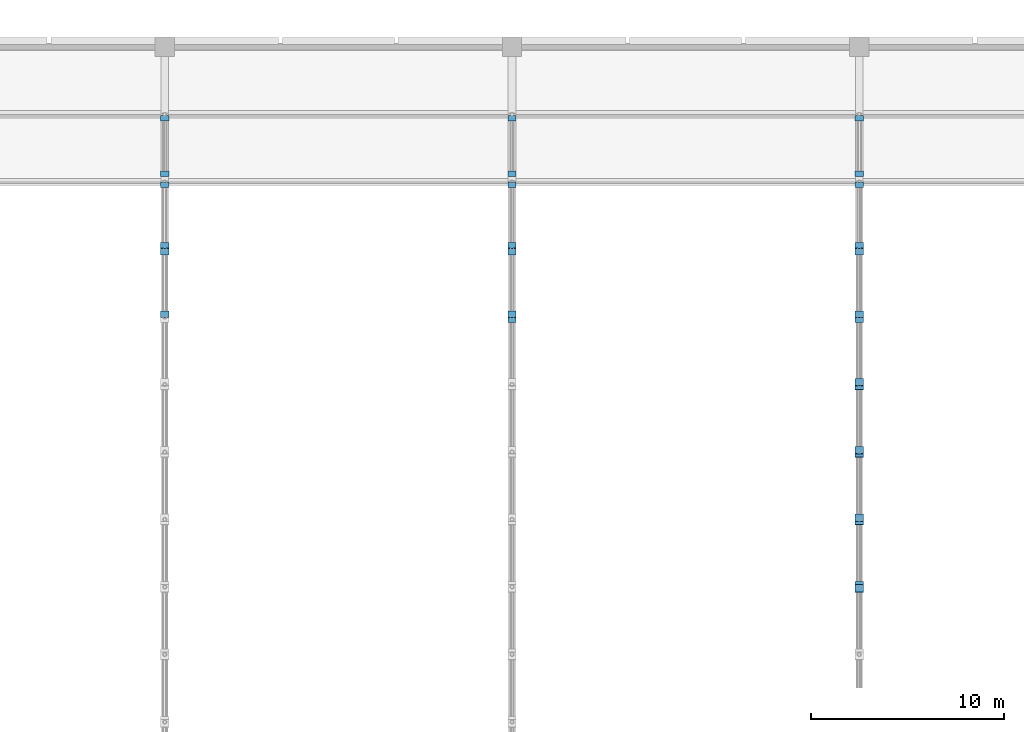
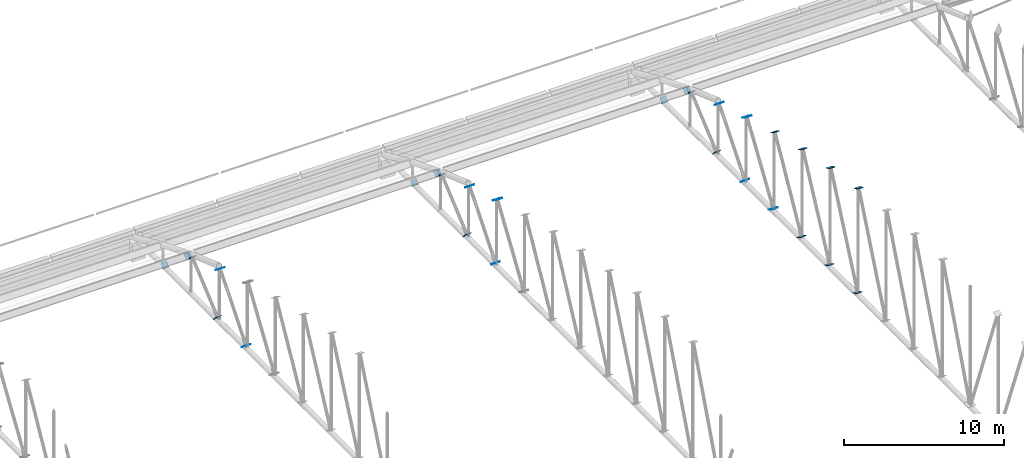
# One storey, part 176 of 196: 28 discrete accessories.
"""IFC4 building model written with IfcOpenShell, lengths in metres."""

from ifc_helpers import new_model, si_unit, direction, frame, origin, origin_2d, place, context, subcontext, project, spatial, rectangle, extrude, material, layer, layer_set, type_object, element, save


model = new_model("IFC4")

# Units and contexts
model_context = context("Model", 3, precision=1e-05, world=origin(), true_north=direction((0.0, 1.0)))
body_context = subcontext(model_context, "Body", "Model", "MODEL_VIEW")
ifc_project = project(units=[si_unit("LENGTHUNIT", "METRE"), si_unit("AREAUNIT", "SQUARE_METRE"), si_unit("VOLUMEUNIT", "CUBIC_METRE"), si_unit("PLANEANGLEUNIT", "RADIAN"), si_unit("MASSUNIT", "GRAM", prefix="KILO")], contexts=[model_context])

# Site, building, storey
site_placement = place(None, origin())
site = spatial("IfcSite", under=ifc_project, at=site_placement, CompositionType="ELEMENT")
building_placement = place(site_placement, origin())
building = spatial("IfcBuilding", under=site, at=building_placement, Name="Okhra Congress Centre", CompositionType="ELEMENT")
storey_placement = place(building_placement, frame((0.0, 0.0, 12.0)))
storey = spatial("IfcBuildingStorey", under=building, at=storey_placement, Name="L02", CompositionType="ELEMENT", Elevation=12.0)

# Discrete accessories
ifc_material = material(Name="Steel S355J2", Category="steel")
ifc_layer = layer(ifc_material, 0.02001953125)
ifc_layer_set = layer_set([ifc_layer], Name="Brace end connection plate 20 mm S355")
discrete_accessory_type = type_object("IfcDiscreteAccessoryType", Name="Brace end connection plate 20 mm S355", PredefinedType="BRACKET", material=ifc_layer_set)
for number, where, z_axis, x_axis, name in (
    (1, (82.0, 205.373779296875, 5.476318359375), (0.0, 0.630592625094, 0.776114000116), (-1.0, 0.0, 0.0), "Brace end connection plate"),
    (2, (82.0, 202.147216796875, 1.577880859375), (0.0, -0.643761629109, -0.765226087432), (1.0, 0.0, 0.0), "Brace end connection plate"),
    (3, (82.0, 208.8388671875, 4.237060546875), (0.0, 0.760121344352, 0.649781149204), (-1.0, 0.0, 0.0), "Brace end connection plate"),
    (4, (82.0, 205.709228515625, 1.577880859375), (0.0, -0.760121344352, -0.649781149204), (1.0, 0.0, 0.0), "Brace end connection plate"),
    (5, (82.0, 209.42578125, 4.01220703125), (0.0, -0.760121344352, 0.649781149204), (1.0, 0.0, 0.0), "Brace end connection plate"),
    (6, (82.0, 212.290771484375, 1.577880859375), (0.0, 0.760121344352, -0.649781149204), (-1.0, 0.0, 0.0), "Brace end connection plate"),
    (7, (100.0, 201.89404296875, 6.576416015625), (0.0, 0.551866900848, 0.833932205727), (-1.0, 0.0, 0.0), "Brace end connection plate"),
    (8, (100.0, 205.373779296875, 5.476318359375), (0.0, 0.630592625094, 0.776114000116), (-1.0, 0.0, 0.0), "Brace end connection plate"),
    (9, (100.0, 202.147216796875, 1.577880859375), (0.0, -0.643761629109, -0.765226087432), (1.0, 0.0, 0.0), "Brace end connection plate"),
    (10, (100.0, 208.8388671875, 4.237060546875), (0.0, 0.760121344352, 0.649781149204), (-1.0, 0.0, 0.0), "Brace end connection plate"),
    (11, (100.0, 205.709228515625, 1.577880859375), (0.0, -0.760121344352, -0.649781149204), (1.0, 0.0, 0.0), "Brace end connection plate"),
    (12, (100.0, 209.42578125, 4.01220703125), (0.0, -0.760121344352, 0.649781149204), (1.0, 0.0, 0.0), "Brace end connection plate"),
    (13, (100.0, 212.290771484375, 1.577880859375), (0.0, 0.760121344352, -0.649781149204), (-1.0, 0.0, 0.0), "Brace end connection plate"),
    (14, (118.0, 187.926513671875, 9.6240234375), (0.0, 0.388057000058, 0.921635375138), (-1.0, 0.0, 0.0), "Brace end connection plate"),
    (15, (118.0, 191.42236328125, 9.0595703125), (0.0, 0.402738614266, 0.915315032423), (-1.0, 0.0, 0.0), "Brace end connection plate"),
    (16, (118.0, 188.079345703125, 1.577880859375), (0.0, -0.402738614266, -0.915315032423), (1.0, 0.0, 0.0), "Brace end connection plate"),
):
    element("IfcDiscreteAccessory", number, at=place(storey_placement, frame(where, z_axis=z_axis, x_axis=x_axis)), inside=storey, type_object=discrete_accessory_type, Name=name, PredefinedType="BRACKET", context=body_context, shape_type="SweptSolid", body=[
        extrude(rectangle(XDim=0.43798828125, YDim=0.43798828125, at=origin_2d()), origin(), (0.0, 0.0, 1.0), 0.02001953125),
    ])
discrete_accessory_placement = place(storey_placement, frame((118.0, 194.916259765625, 8.365234375), z_axis=(0.0, 0.44229248412, 0.896870870578), x_axis=(-1.0, 0.0, 0.0)))
element("IfcDiscreteAccessory", 17, at=discrete_accessory_placement, inside=storey, type_object=discrete_accessory_type, Name="Brace end connection plate", PredefinedType="BRACKET", context=body_context, shape_type="SweptSolid", body=[
    extrude(rectangle(XDim=0.43798828125, YDim=0.43798828125, at=origin_2d()), origin(), (0.0, 0.0, 1.0), 0.019775390625),
])
for number, where, z_axis, x_axis, name in (
    (18, (118.0, 191.587158203125, 1.577880859375), (0.0, -0.437465718849, -0.899235088746), (1.0, 0.0, 0.0), "Brace end connection plate"),
    (19, (118.0, 198.4072265625, 7.538330078125), (0.0, 0.485642931179, 0.874157276122), (-1.0, 0.0, 0.0), "Brace end connection plate"),
    (20, (118.0, 195.0986328125, 1.577880859375), (0.0, -0.485642931179, -0.874157276122), (1.0, 0.0, 0.0), "Brace end connection plate"),
    (21, (118.0, 201.89404296875, 6.576416015625), (0.0, 0.551866900848, 0.833932205727), (-1.0, 0.0, 0.0), "Brace end connection plate"),
    (22, (118.0, 198.61669921875, 1.577880859375), (0.0, -0.546267780547, -0.837610596839), (1.0, 0.0, 0.0), "Brace end connection plate"),
    (23, (118.0, 205.373779296875, 5.476318359375), (0.0, 0.630592625094, 0.776114000116), (-1.0, 0.0, 0.0), "Brace end connection plate"),
    (24, (118.0, 202.147216796875, 1.577880859375), (0.0, -0.643761629109, -0.765226087432), (1.0, 0.0, 0.0), "Brace end connection plate"),
    (25, (118.0, 208.8388671875, 4.237060546875), (0.0, 0.760121344352, 0.649781149204), (-1.0, 0.0, 0.0), "Brace end connection plate"),
    (26, (118.0, 205.709228515625, 1.577880859375), (0.0, -0.760121344352, -0.649781149204), (1.0, 0.0, 0.0), "Brace end connection plate"),
    (27, (118.0, 209.42578125, 4.01220703125), (0.0, -0.760121344352, 0.649781149204), (1.0, 0.0, 0.0), "Brace end connection plate"),
    (28, (118.0, 212.290771484375, 1.577880859375), (0.0, 0.760121344352, -0.649781149204), (-1.0, 0.0, 0.0), "Brace end connection plate"),
):
    element("IfcDiscreteAccessory", number, at=place(storey_placement, frame(where, z_axis=z_axis, x_axis=x_axis)), inside=storey, type_object=discrete_accessory_type, Name=name, PredefinedType="BRACKET", context=body_context, shape_type="SweptSolid", body=[
        extrude(rectangle(XDim=0.43798828125, YDim=0.43798828125, at=origin_2d()), origin(), (0.0, 0.0, 1.0), 0.02001953125),
    ])

save(model, "model.ifc")
